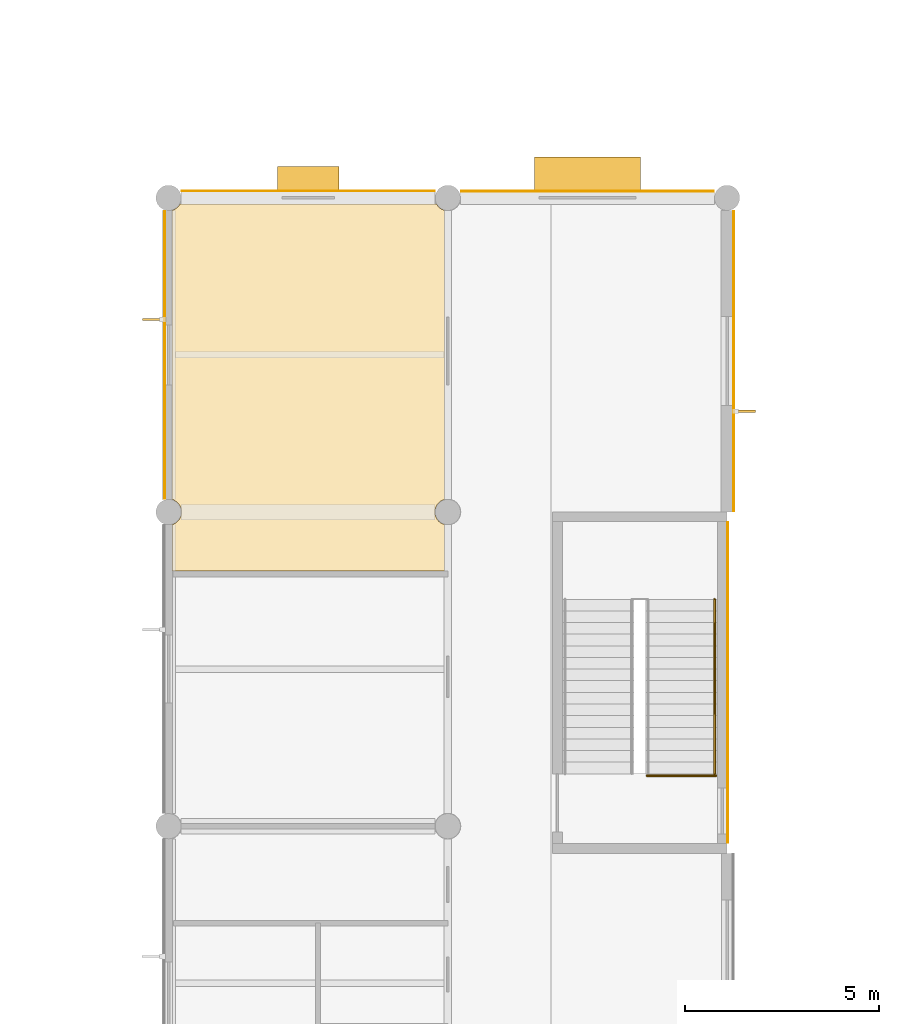
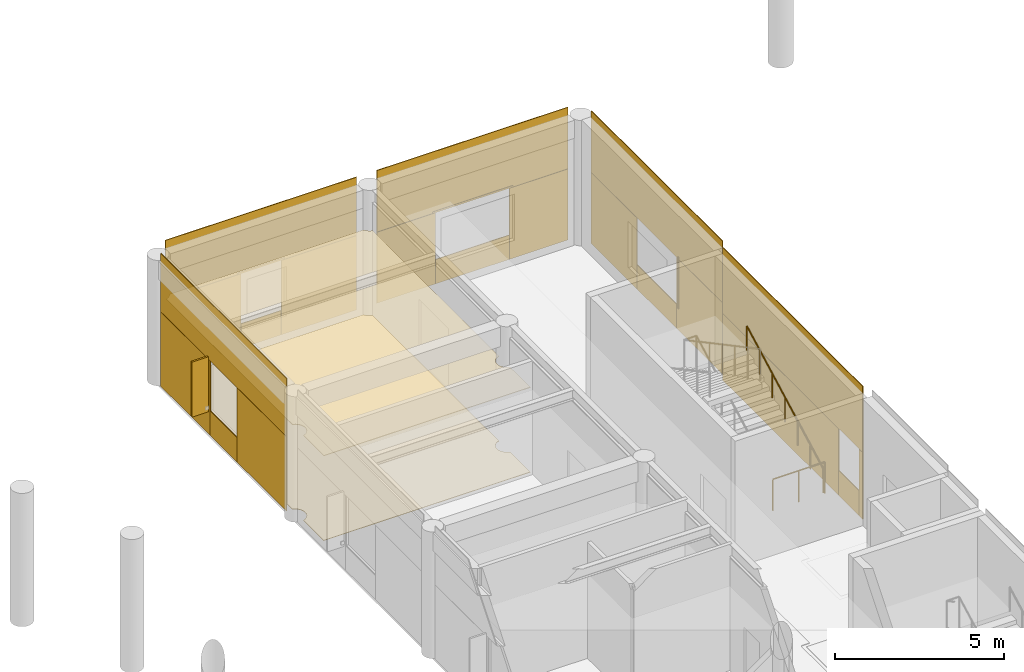
# One storey, part 91 of 92: 22 coverings, 4 shading devices, 2 railings.
"""IFC4 building model written with IfcOpenShell, lengths in metres."""

from ifc_helpers import new_model, si_unit, direction, frame, origin, origin_2d, place, context, subcontext, project, spatial, polyline, rectangle, circle, outline, extrude, material, layer, layer_set, type_object, element, save


model = new_model("IFC4")

# Units and contexts
model_context = context("Model", 3, precision=1e-05, world=origin(), true_north=direction((0.0, 1.0)))
body_context = subcontext(model_context, "Body", "Model", "MODEL_VIEW")
ifc_project = project(units=[si_unit("LENGTHUNIT", "METRE"), si_unit("AREAUNIT", "SQUARE_METRE"), si_unit("VOLUMEUNIT", "CUBIC_METRE"), si_unit("PLANEANGLEUNIT", "RADIAN"), si_unit("MASSUNIT", "GRAM", prefix="KILO")], contexts=[model_context])

# Site, building, storey
site_placement = place(None, origin())
site = spatial("IfcSite", under=ifc_project, at=site_placement, CompositionType="ELEMENT")
building_placement = place(site_placement, origin())
building = spatial("IfcBuilding", under=site, at=building_placement, Name="Namkhue Oval Health Centre", CompositionType="ELEMENT")
storey_placement = place(building_placement, frame((0.0, 0.0, 4.800048828125)))
storey = spatial("IfcBuildingStorey", under=building, at=storey_placement, Name="L01", CompositionType="ELEMENT", Elevation=4.800048828125)

# Coverings
ifc_material_1 = material(Name="Acoustic mineral-fibre cleanroom ceiling", Category="gypsum")
ifc_layer_1 = layer(ifc_material_1, 0.02001953125)
ifc_layer_set_1 = layer_set([ifc_layer_1], Name="Acoustic mineral-fibre cleanroom ceiling")
covering_type_1 = type_object("IfcCoveringType", Name="ACOUSTIC CLEANROOM CEILING 20", PredefinedType="CEILING", material=ifc_layer_set_1)
covering_1_placement = place(storey_placement, frame((0.0, 0.0, 3.050048828125)))
element("IfcCovering", 1, at=covering_1_placement, inside=storey, type_object=covering_type_1, Name="Acoustic Ceiling L01-606 Occupational Therapy Studio", PredefinedType="CEILING", context=body_context, shape_type="SweptSolid", body=[
    extrude(outline(polyline([(136.885009765625, 65.97412109375), (136.885009765625, 67.17626953125), (136.967529296875, 67.2099609375), (137.036865234375, 67.26318359375), (137.090087890625, 67.33251953125), (137.12353515625, 67.413330078125), (137.135009765625, 67.5), (137.12353515625, 67.586669921875), (137.090087890625, 67.66748046875), (137.036865234375, 67.73681640625), (136.967529296875, 67.7900390625), (136.885009765625, 67.82373046875), (136.885009765625, 75.276123046875), (136.967529296875, 75.309814453125), (137.036865234375, 75.363037109375), (137.090087890625, 75.4326171875), (137.09521484375, 75.445068359375), (143.70458984375, 75.445068359375), (143.7099609375, 75.4326171875), (143.76318359375, 75.363037109375), (143.83251953125, 75.309814453125), (143.919921875, 75.275390625), (143.919921875, 67.824462890625), (143.83251953125, 67.7900390625), (143.76318359375, 67.73681640625), (143.7099609375, 67.66748046875), (143.676513671875, 67.586669921875), (143.6650390625, 67.5), (143.676513671875, 67.413330078125), (143.7099609375, 67.33251953125), (143.76318359375, 67.26318359375), (143.83251953125, 67.2099609375), (143.919921875, 67.175537109375), (143.919921875, 65.97412109375), (136.885009765625, 65.97412109375)])), origin(), (0.0, 0.0, 1.0), 0.02001953125),
])
ifc_material_2 = material(Name="Homogeneous anti-bacterial clinical vinyl flooring", Category="plastic")
ifc_layer_2 = layer(ifc_material_2, 0.014892578125)
ifc_layer_set_2 = layer_set([ifc_layer_2], Name="Homogeneous anti-bacterial clinical vinyl flooring")
covering_type_2 = type_object("IfcCoveringType", Name="CLINICAL ANTIBACTERIAL VINYL FLOORING 15", PredefinedType="FLOORING", material=ifc_layer_set_2)
covering_2_placement = place(storey_placement, origin())
element("IfcCovering", 2, at=covering_2_placement, inside=storey, type_object=covering_type_2, Name="Clinical Flooring L01-606 Occupational Therapy Studio", PredefinedType="FLOORING", context=body_context, shape_type="SweptSolid", body=[
    extrude(outline(polyline([(136.885009765625, 65.97412109375), (136.885009765625, 67.17626953125), (136.967529296875, 67.2099609375), (137.036865234375, 67.26318359375), (137.090087890625, 67.33251953125), (137.12353515625, 67.413330078125), (137.135009765625, 67.5), (137.12353515625, 67.586669921875), (137.090087890625, 67.66748046875), (137.036865234375, 67.73681640625), (136.967529296875, 67.7900390625), (136.885009765625, 67.82373046875), (136.885009765625, 75.276123046875), (136.967529296875, 75.309814453125), (137.036865234375, 75.363037109375), (137.090087890625, 75.4326171875), (137.09521484375, 75.445068359375), (143.70458984375, 75.445068359375), (143.7099609375, 75.4326171875), (143.76318359375, 75.363037109375), (143.83251953125, 75.309814453125), (143.919921875, 75.275390625), (143.919921875, 67.824462890625), (143.83251953125, 67.7900390625), (143.76318359375, 67.73681640625), (143.7099609375, 67.66748046875), (143.676513671875, 67.586669921875), (143.6650390625, 67.5), (143.676513671875, 67.413330078125), (143.7099609375, 67.33251953125), (143.76318359375, 67.26318359375), (143.83251953125, 67.2099609375), (143.919921875, 67.175537109375), (143.919921875, 65.97412109375), (136.885009765625, 65.97412109375)])), origin(), (0.0, 0.0, 1.0), 0.014892578125),
])

# Railings
ifc_material_3 = material(Name="Brushed stainless steel 316L balustrade with laminated glass infill", Category="steel")
railing_type_1 = type_object("IfcRailingType", Name="INTERIOR BALUSTRADE GUARD 1150", PredefinedType="BALUSTRADE", material=ifc_material_3)
railing_1_placement = place(storey_placement, frame((149.139892578125, 60.699951171875, 0.0)))
element("IfcRailing", 3, at=railing_1_placement, inside=storey, type_object=railing_type_1, Name="Stair ST-12 L01 Landing Well Edge Guard", PredefinedType="BALUSTRADE", context=body_context, shape_type="SweptSolid", body=[
    extrude(circle(Radius=0.02392578125, at=origin_2d()), frame((0.0, 0.0, 1.1259765625), z_axis=(1.0, 0.0, 0.0), x_axis=(0.0, 1.0, 0.0)), (0.0, 0.0, 1.0), 1.77001953125),
    extrude(circle(Radius=0.02099609375, at=origin_2d()), origin(), (0.0, 0.0, 1.0), 1.101806640625),
    extrude(circle(Radius=0.02099609375, at=origin_2d()), frame((0.885009765625, 0.0, 0.0)), (0.0, 0.0, 1.0), 1.101806640625),
    extrude(circle(Radius=0.02099609375, at=origin_2d()), frame((1.77001953125, 0.0, 0.0)), (0.0, 0.0, 1.0), 1.101806640625),
])
ifc_material_4 = material(Name="Brushed stainless steel 304 tubular handrail", Category="steel")
railing_type_2 = type_object("IfcRailingType", Name="INTERIOR STAIR HANDRAIL 900", PredefinedType="HANDRAIL", material=ifc_material_4)
railing_2_placement = place(storey_placement, frame((150.8798828125, 60.75, 0.0)))
element("IfcRailing", 4, at=railing_2_placement, inside=storey, type_object=railing_type_2, Name="Stair ST-12 L01 Flight 1 Handrail", PredefinedType="HANDRAIL", context=body_context, shape_type="SweptSolid", body=[
    extrude(circle(Radius=0.02392578125, at=origin_2d()), frame((0.0, 0.0, 0.8759765625), z_axis=(0.0, 0.882360891967, 0.470573327259), x_axis=(-1.0, 0.0, 0.0)), (0.0, 0.0, 1.0), 5.099853515625),
    extrude(circle(Radius=0.02099609375, at=origin_2d()), origin(), (0.0, 0.0, 1.0), 0.851806640625),
    extrude(circle(Radius=0.02099609375, at=origin_2d()), frame((0.0, 0.75, 0.39990234375)), (0.0, 0.0, 1.0), 0.851806640625),
    extrude(circle(Radius=0.02099609375, at=origin_2d()), frame((0.0, 1.5, 0.800048828125)), (0.0, 0.0, 1.0), 0.851806640625),
    extrude(circle(Radius=0.02099609375, at=origin_2d()), frame((0.0, 2.25, 1.199951171875)), (0.0, 0.0, 1.0), 0.851806640625),
    extrude(circle(Radius=0.02099609375, at=origin_2d()), frame((0.0, 3.0, 1.599853515625)), (0.0, 0.0, 1.0), 0.851806640625),
    extrude(circle(Radius=0.02099609375, at=origin_2d()), frame((0.0, 3.75, 2.0)), (0.0, 0.0, 1.0), 0.851806640625),
    extrude(circle(Radius=0.02099609375, at=origin_2d()), frame((0.0, 4.5, 2.39990234375)), (0.0, 0.0, 1.0), 0.851806640625),
])

# Shading devices
ifc_material_5 = material(Name="Anodised aluminium EN AW-6063 T6", Category="aluminium")
ifc_layer_3 = layer(ifc_material_5, 0.06005859375)
ifc_layer_set_3 = layer_set([ifc_layer_3], Name="Anodised aluminium EN AW-6063 T6")
shading_device_type_1 = type_object("IfcShadingDeviceType", Name="MONSOON SUN LOUVRE 900", PredefinedType="JALOUSIE", material=ifc_layer_set_3)
shading_device_1_placement = place(storey_placement, frame((147.60009765625, 76.199951171875, 2.579833984375), z_axis=(0.0, 0.0, 1.0), x_axis=(-1.0, 0.0, 0.0)))
element("IfcShadingDevice", 5, at=shading_device_1_placement, inside=storey, type_object=shading_device_type_1, Name="Volume V6 L01 Window Monsoon Louvre 306", PredefinedType="JALOUSIE", context=body_context, shape_type="SweptSolid", body=[
    extrude(rectangle(XDim=2.739990234375, YDim=0.89990234375, at=origin_2d()), origin(), (0.0, 0.0, 1.0), 0.06005859375),
])
ifc_layer_4 = layer(ifc_material_5, 0.050048828125)
ifc_layer_set_4 = layer_set([ifc_layer_4], Name="Anodised aluminium EN AW-6063 T6")
shading_device_type_2 = type_object("IfcShadingDeviceType", Name="STORM SHUTTER LOUVRE 650", PredefinedType="SHUTTER", material=ifc_layer_set_4)
shading_device_2_placement = place(storey_placement, frame((140.39990234375, 76.080078125, 2.699951171875), z_axis=(0.0, 0.0, 1.0), x_axis=(-1.0, 0.0, 0.0)))
element("IfcShadingDevice", 6, at=shading_device_2_placement, inside=storey, type_object=shading_device_type_2, Name="Volume V6 L01 Window Monsoon Louvre 307", PredefinedType="SHUTTER", context=body_context, shape_type="SweptSolid", body=[
    extrude(rectangle(XDim=1.590087890625, YDim=0.64990234375, at=origin_2d()), origin(), (0.0, 0.0, 1.0), 0.06005859375),
])
shading_device_type_3 = type_object("IfcShadingDeviceType", Name="VERTICAL SOLAR FIN 600", PredefinedType="USERDEFINED", material=ifc_material_5)
shading_device_3_placement = place(storey_placement, frame((151.635009765625, 70.10107421875, 0.7998046875), z_axis=(0.0, 0.0, 1.0), x_axis=(1.0, 0.0, 0.0)))
element("IfcShadingDevice", 7, at=shading_device_3_placement, inside=storey, type_object=shading_device_type_3, Name="Volume V6 L01 Window Solar Fin 305", ObjectType="SOLAR FIN", PredefinedType="USERDEFINED", context=body_context, shape_type="SweptSolid", body=[
    extrude(rectangle(XDim=0.60009765625, YDim=0.06005859375, at=origin_2d()), origin(), (0.0, 0.0, 1.0), 1.860107421875),
])
shading_device_4_placement = place(storey_placement, frame((136.429931640625, 72.465087890625, 0.800048828125), z_axis=(0.0, 0.0, 1.0), x_axis=(-1.0, 0.0, 0.0)))
element("IfcShadingDevice", 8, at=shading_device_4_placement, inside=storey, type_object=shading_device_type_3, Name="Volume V6 L01 Window Solar Fin 308", ObjectType="SOLAR FIN", PredefinedType="USERDEFINED", context=body_context, shape_type="SweptSolid", body=[
    extrude(rectangle(XDim=0.60009765625, YDim=0.06005859375, at=origin_2d()), origin(), (0.0, 0.0, 1.0), 1.97998046875),
])

# Coverings
ifc_material_6 = material(Name="White glass-fibre reinforced concrete GRC rainscreen cladding", Category="concrete")
ifc_layer_5 = layer(ifc_material_6, 0.02490234375)
ifc_layer_set_5 = layer_set([ifc_layer_5], Name="White glass-fibre reinforced concrete GRC rainscreen cladding")
covering_type_3 = type_object("IfcCoveringType", Name="WHITE GRC RAINSCREEN CLADDING 25", PredefinedType="CLADDING", material=ifc_layer_set_5)
covering_3_placement = place(storey_placement, frame((151.366943359375, 71.39111328125, 2.57470703125), z_axis=(0.0, 0.0, 1.0), x_axis=(0.0, 1.0, 0.0)))
element("IfcCovering", 9, at=covering_3_placement, inside=storey, type_object=covering_type_3, Name="Volume V6 L01 Facade 174 White GRC Cladding 1", PredefinedType="CLADDING", context=body_context, shape_type="SweptSolid", body=[
    extrude(rectangle(XDim=7.738037109375, YDim=0.02490234375, at=origin_2d()), origin(), (0.0, 0.0, 1.0), 2.215087890625),
])
covering_4_placement = place(storey_placement, frame((151.366943359375, 68.8740234375, 0.010009765625), z_axis=(0.0, 0.0, 1.0), x_axis=(0.0, 1.0, 0.0)))
element("IfcCovering", 10, at=covering_4_placement, inside=storey, type_object=covering_type_3, Name="Volume V6 L01 Facade 174 White GRC Cladding 2", PredefinedType="CLADDING", context=body_context, shape_type="SweptSolid", body=[
    extrude(rectangle(XDim=2.7041015625, YDim=0.02490234375, at=origin_2d()), origin(), (0.0, 0.0, 1.0), 2.56005859375),
])
covering_5_placement = place(storey_placement, frame((151.366943359375, 71.39111328125, 0.010009765625), z_axis=(0.0, 0.0, 1.0), x_axis=(0.0, 1.0, 0.0)))
element("IfcCovering", 11, at=covering_5_placement, inside=storey, type_object=covering_type_3, Name="Volume V6 L01 Facade 174 White GRC Cladding 3", PredefinedType="CLADDING", context=body_context, shape_type="SweptSolid", body=[
    extrude(rectangle(XDim=2.320068359375, YDim=0.02490234375, at=origin_2d()), origin(), (0.0, 0.0, 1.0), 0.875),
])
covering_6_placement = place(storey_placement, frame((151.366943359375, 73.907958984375, 0.010009765625), z_axis=(0.0, 0.0, 1.0), x_axis=(0.0, 1.0, 0.0)))
element("IfcCovering", 12, at=covering_6_placement, inside=storey, type_object=covering_type_3, Name="Volume V6 L01 Facade 174 White GRC Cladding 4", PredefinedType="CLADDING", context=body_context, shape_type="SweptSolid", body=[
    extrude(rectangle(XDim=2.7041015625, YDim=0.02490234375, at=origin_2d()), origin(), (0.0, 0.0, 1.0), 2.56005859375),
])
covering_7_placement = place(storey_placement, frame((147.60009765625, 75.77197265625, 2.57470703125), z_axis=(0.0, 0.0, 1.0), x_axis=(-1.0, 0.0, 0.0)))
element("IfcCovering", 13, at=covering_7_placement, inside=storey, type_object=covering_type_3, Name="Volume V6 L01 Facade 175 White GRC Cladding 1", PredefinedType="CLADDING", context=body_context, shape_type="SweptSolid", body=[
    extrude(rectangle(XDim=6.52001953125, YDim=0.02490234375, at=origin_2d()), origin(), (0.0, 0.0, 1.0), 2.215087890625),
])
covering_8_placement = place(storey_placement, frame((149.862548828125, 75.77197265625, 0.010009765625), z_axis=(0.0, 0.0, 1.0), x_axis=(-1.0, 0.0, 0.0)))
element("IfcCovering", 14, at=covering_8_placement, inside=storey, type_object=covering_type_3, Name="Volume V6 L01 Facade 175 White GRC Cladding 2", PredefinedType="CLADDING", context=body_context, shape_type="SweptSolid", body=[
    extrude(rectangle(XDim=1.9951171875, YDim=0.02490234375, at=origin_2d()), origin(), (0.0, 0.0, 1.0), 2.56005859375),
])
covering_9_placement = place(storey_placement, frame((147.60009765625, 75.77197265625, 0.010009765625), z_axis=(0.0, 0.0, 1.0), x_axis=(-1.0, 0.0, 0.0)))
element("IfcCovering", 15, at=covering_9_placement, inside=storey, type_object=covering_type_3, Name="Volume V6 L01 Facade 175 White GRC Cladding 3", PredefinedType="CLADDING", context=body_context, shape_type="SweptSolid", body=[
    extrude(rectangle(XDim=2.52001953125, YDim=0.02490234375, at=origin_2d()), origin(), (0.0, 0.0, 1.0), 0.875),
])
covering_10_placement = place(storey_placement, frame((145.33740234375, 75.77197265625, 0.010009765625), z_axis=(0.0, 0.0, 1.0), x_axis=(-1.0, 0.0, 0.0)))
element("IfcCovering", 16, at=covering_10_placement, inside=storey, type_object=covering_type_3, Name="Volume V6 L01 Facade 175 White GRC Cladding 4", PredefinedType="CLADDING", context=body_context, shape_type="SweptSolid", body=[
    extrude(rectangle(XDim=1.9951171875, YDim=0.02490234375, at=origin_2d()), origin(), (0.0, 0.0, 1.0), 2.56005859375),
])
covering_11_placement = place(storey_placement, frame((140.39990234375, 75.777099609375, 2.69482421875), z_axis=(0.0, 0.0, 1.0), x_axis=(-1.0, 0.0, 0.0)))
element("IfcCovering", 17, at=covering_11_placement, inside=storey, type_object=covering_type_3, Name="Volume V6 L01 Facade 176 White GRC Cladding 1", PredefinedType="CLADDING", context=body_context, shape_type="SweptSolid", body=[
    extrude(rectangle(XDim=6.52001953125, YDim=0.02490234375, at=origin_2d()), origin(), (0.0, 0.0, 1.0), 2.094970703125),
])
covering_12_placement = place(storey_placement, frame((142.375, 75.777099609375, 0.009765625), z_axis=(0.0, 0.0, 1.0), x_axis=(-1.0, 0.0, 0.0)))
element("IfcCovering", 18, at=covering_12_placement, inside=storey, type_object=covering_type_3, Name="Volume V6 L01 Facade 176 White GRC Cladding 2", PredefinedType="CLADDING", context=body_context, shape_type="SweptSolid", body=[
    extrude(rectangle(XDim=2.570068359375, YDim=0.02490234375, at=origin_2d()), origin(), (0.0, 0.0, 1.0), 2.679931640625),
])
covering_13_placement = place(storey_placement, frame((140.39990234375, 75.777099609375, 0.010009765625), z_axis=(0.0, 0.0, 1.0), x_axis=(-1.0, 0.0, 0.0)))
element("IfcCovering", 19, at=covering_13_placement, inside=storey, type_object=covering_type_3, Name="Volume V6 L01 Facade 176 White GRC Cladding 3", PredefinedType="CLADDING", context=body_context, shape_type="SweptSolid", body=[
    extrude(rectangle(XDim=1.3701171875, YDim=0.02490234375, at=origin_2d()), origin(), (0.0, 0.0, 1.0), 0.875),
])
covering_14_placement = place(storey_placement, frame((138.425048828125, 75.777099609375, 0.009765625), z_axis=(0.0, 0.0, 1.0), x_axis=(-1.0, 0.0, 0.0)))
element("IfcCovering", 20, at=covering_14_placement, inside=storey, type_object=covering_type_3, Name="Volume V6 L01 Facade 176 White GRC Cladding 4", PredefinedType="CLADDING", context=body_context, shape_type="SweptSolid", body=[
    extrude(rectangle(XDim=2.570068359375, YDim=0.02490234375, at=origin_2d()), origin(), (0.0, 0.0, 1.0), 2.679931640625),
])
covering_15_placement = place(storey_placement, frame((136.697998046875, 71.550048828125, 2.69482421875), z_axis=(0.0, 0.0, 1.0), x_axis=(0.0, -1.0, 0.0)))
element("IfcCovering", 21, at=covering_15_placement, inside=storey, type_object=covering_type_3, Name="Volume V6 L01 Facade 177 White GRC Cladding 1", PredefinedType="CLADDING", context=body_context, shape_type="SweptSolid", body=[
    extrude(rectangle(XDim=7.419921875, YDim=0.02490234375, at=origin_2d()), origin(), (0.0, 0.0, 1.0), 2.094970703125),
])
covering_16_placement = place(storey_placement, frame((136.697998046875, 73.800048828125, 0.009765625), z_axis=(0.0, 0.0, 1.0), x_axis=(0.0, -1.0, 0.0)))
element("IfcCovering", 22, at=covering_16_placement, inside=storey, type_object=covering_type_3, Name="Volume V6 L01 Facade 177 White GRC Cladding 2", PredefinedType="CLADDING", context=body_context, shape_type="SweptSolid", body=[
    extrude(rectangle(XDim=2.919921875, YDim=0.02490234375, at=origin_2d()), origin(), (0.0, 0.0, 1.0), 2.679931640625),
])
covering_17_placement = place(storey_placement, frame((136.697998046875, 71.550048828125, 0.010009765625), z_axis=(0.0, 0.0, 1.0), x_axis=(0.0, -1.0, 0.0)))
element("IfcCovering", 23, at=covering_17_placement, inside=storey, type_object=covering_type_3, Name="Volume V6 L01 Facade 177 White GRC Cladding 3", PredefinedType="CLADDING", context=body_context, shape_type="SweptSolid", body=[
    extrude(rectangle(XDim=1.570068359375, YDim=0.02490234375, at=origin_2d()), origin(), (0.0, 0.0, 1.0), 0.875),
])
covering_18_placement = place(storey_placement, frame((136.697998046875, 69.300048828125, 0.009765625), z_axis=(0.0, 0.0, 1.0), x_axis=(0.0, -1.0, 0.0)))
element("IfcCovering", 24, at=covering_18_placement, inside=storey, type_object=covering_type_3, Name="Volume V6 L01 Facade 177 White GRC Cladding 4", PredefinedType="CLADDING", context=body_context, shape_type="SweptSolid", body=[
    extrude(rectangle(XDim=2.919921875, YDim=0.02490234375, at=origin_2d()), origin(), (0.0, 0.0, 1.0), 2.679931640625),
])
covering_19_placement = place(storey_placement, frame((151.2119140625, 63.10009765625, 2.4150390625), z_axis=(0.0, 0.0, 1.0), x_axis=(0.0, 1.0, 0.0)))
element("IfcCovering", 25, at=covering_19_placement, inside=storey, type_object=covering_type_3, Name="Core SC-12 L01 Core E White GRC Cladding 1", PredefinedType="CLADDING", context=body_context, shape_type="SweptSolid", body=[
    extrude(rectangle(XDim=8.260009765625, YDim=0.02490234375, at=origin_2d()), origin(), (0.0, 0.0, 1.0), 2.375),
])
covering_20_placement = place(storey_placement, frame((151.2119140625, 59.077392578125, 0.010009765625), z_axis=(0.0, 0.0, 1.0), x_axis=(0.0, 1.0, 0.0)))
element("IfcCovering", 26, at=covering_20_placement, inside=storey, type_object=covering_type_3, Name="Core SC-12 L01 Core E White GRC Cladding 2", PredefinedType="CLADDING", context=body_context, shape_type="SweptSolid", body=[
    extrude(rectangle(XDim=0.215087890625, YDim=0.02490234375, at=origin_2d()), origin(), (0.0, 0.0, 1.0), 2.39990234375),
])
covering_21_placement = place(storey_placement, frame((151.2119140625, 59.7900390625, 0.010009765625), z_axis=(0.0, 0.0, 1.0), x_axis=(0.0, 1.0, 0.0)))
element("IfcCovering", 27, at=covering_21_placement, inside=storey, type_object=covering_type_3, Name="Core SC-12 L01 Core E White GRC Cladding 3", PredefinedType="CLADDING", context=body_context, shape_type="SweptSolid", body=[
    extrude(rectangle(XDim=1.199951171875, YDim=0.02490234375, at=origin_2d()), origin(), (0.0, 0.0, 1.0), 0.89501953125),
])
covering_22_placement = place(storey_placement, frame((151.2119140625, 63.8125, 0.010009765625), z_axis=(0.0, 0.0, 1.0), x_axis=(0.0, 1.0, 0.0)))
element("IfcCovering", 28, at=covering_22_placement, inside=storey, type_object=covering_type_3, Name="Core SC-12 L01 Core E White GRC Cladding 4", PredefinedType="CLADDING", context=body_context, shape_type="SweptSolid", body=[
    extrude(rectangle(XDim=6.8349609375, YDim=0.02490234375, at=origin_2d()), origin(), (0.0, 0.0, 1.0), 2.39990234375),
])

save(model, "model.ifc")
